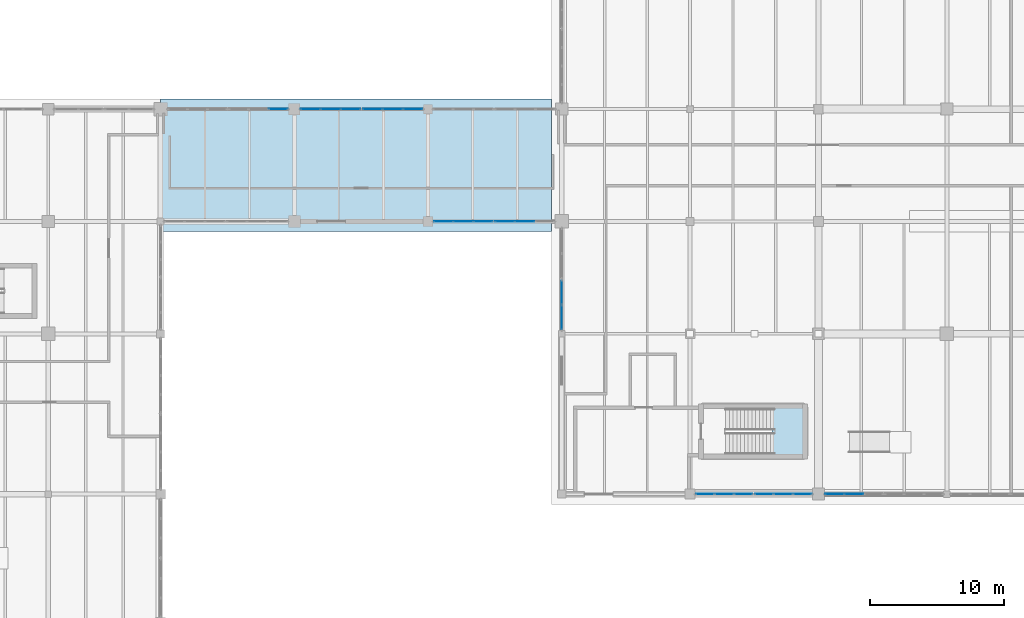
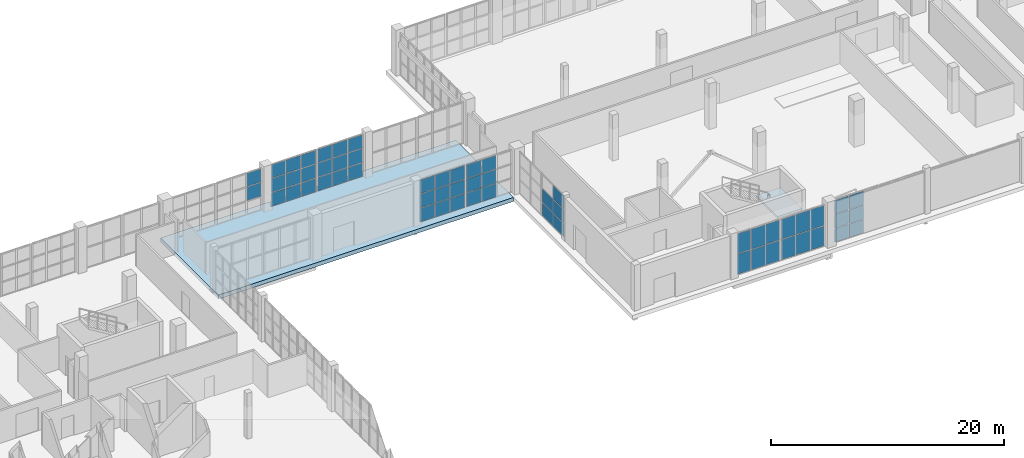
# One storey, part 76 of 121: 58 plates, 2 slabs, 10 elements without a shape of their own.
"""IFC4 building model written with IfcOpenShell, lengths in metres."""

import ifcopenshell
import ifcopenshell.guid

model = None  # the IFC model being written
_history = None  # IfcOwnerHistory: only IFC2X3 demands one
_inside = {}  # id of a spatial element -> (the spatial element, [elements in it])
_under = {}  # id of a project, library or spatial element -> (it, [spatial elements below it])
_declared = {}  # id of a project -> (the project, [libraries it declares])
_typed = {}  # id of a type object -> (the type object, [elements of that type])
_made_of = {}  # id of a material, layer set ... -> (it, [elements and type objects made of it])


def new_model(schema):
    """Start an empty IFC model of exactly this schema.

    Asked for "IFC4X3", IfcOpenShell would pick the latest addendum, in which some entities
    have other attributes; the version numbers below select the first issue.
    IFC2X3 requires an IfcOwnerHistory on every rooted entity: one is made here for all.
    """
    global model, _history
    if schema == "IFC4X3":
        model = ifcopenshell.file(schema_version=(4, 3, 0, 0))
    else:
        model = ifcopenshell.file(schema=schema)
    _inside.clear()
    _under.clear()
    _declared.clear()
    _typed.clear()
    _made_of.clear()
    _history = None
    if model.schema == "IFC2X3":
        org = make("IfcOrganization", Name="unknown")
        user = make(
            "IfcPersonAndOrganization",
            ThePerson=make("IfcPerson", FamilyName="unknown"),
            TheOrganization=org,
        )
        app = make(
            "IfcApplication",
            ApplicationDeveloper=org,
            Version="unknown",
            ApplicationFullName="unknown",
            ApplicationIdentifier="unknown",
        )
        _history = make(
            "IfcOwnerHistory",
            OwningUser=user,
            OwningApplication=app,
            ChangeAction="ADDED",
            CreationDate=0,
        )
    return model


def make(cls, **values):
    """One entity of the class cls with the attributes given. An attribute that is None is left unset."""
    return model.create_entity(
        cls, **{name: value for name, value in values.items() if value is not None}
    )


def rooted(cls, **values):
    """An entity with a GlobalId (a new one), such as an element, a storey or a relation."""
    return make(cls, GlobalId=ifcopenshell.guid.new(), OwnerHistory=_history, **values)


def si_unit(unit_type, name, prefix=None):
    """IfcSIUnit, for example si_unit("LENGTHUNIT", "METRE", prefix="MILLI")."""
    return make("IfcSIUnit", UnitType=unit_type, Prefix=prefix, Name=name)


def assignment(units):
    """IfcUnitAssignment: the units of a project."""
    return None if units is None else make("IfcUnitAssignment", Units=units)


def point(xyz):
    """IfcCartesianPoint."""
    return None if xyz is None else make("IfcCartesianPoint", Coordinates=xyz)


def direction(xyz):
    """IfcDirection."""
    return None if xyz is None else make("IfcDirection", DirectionRatios=xyz)


def frame(location, z_axis=None, x_axis=None):
    """IfcAxis2Placement3D, a coordinate frame: its origin and axes. An axis left out is left unset."""
    return make(
        "IfcAxis2Placement3D",
        Location=point(location),
        Axis=direction(z_axis),
        RefDirection=direction(x_axis),
    )


def frame_2d(location, x_axis=None):
    """IfcAxis2Placement2D, a coordinate frame in the plane: its origin and x axis."""
    return make(
        "IfcAxis2Placement2D", Location=point(location), RefDirection=direction(x_axis)
    )


def origin():
    """The frame at (0, 0, 0) with its axes left unset."""
    return frame((0.0, 0.0, 0.0))


def origin_2d():
    """The frame at (0, 0) in the plane with its x axis left unset."""
    return frame_2d((0.0, 0.0))


def place(relative_to, where):
    """IfcLocalPlacement: puts the frame where relative to a parent placement (None: the world)."""
    return make(
        "IfcLocalPlacement", PlacementRelTo=relative_to, RelativePlacement=where
    )


def context(
    kind, dimensions, precision=None, world=None, true_north=None, identifier=None
):
    """IfcGeometricRepresentationContext, for example the 3D "Model" context."""
    return make(
        "IfcGeometricRepresentationContext",
        ContextIdentifier=identifier,
        ContextType=kind,
        CoordinateSpaceDimension=dimensions,
        Precision=precision,
        WorldCoordinateSystem=world,
        TrueNorth=true_north,
    )


def subcontext(parent, identifier, kind, view, scale=None):
    """IfcGeometricRepresentationSubContext, for example "Body" below "Model"."""
    return make(
        "IfcGeometricRepresentationSubContext",
        ContextIdentifier=identifier,
        ContextType=kind,
        ParentContext=parent,
        TargetScale=scale,
        TargetView=view,
    )


def project(units=None, contexts=None):
    """IfcProject with its units and contexts."""
    return rooted(
        "IfcProject",
        Name="project",
        RepresentationContexts=contexts,
        UnitsInContext=assignment(units),
    )


def spatial(cls, under=None, at=None, **own):
    """A site, building, storey or space (cls), placed at a placement, below another one or the project."""
    s = rooted(cls, ObjectPlacement=at, **own)
    if under is not None:
        _under.setdefault(under.id(), (under, []))[1].append(s)
    return s


def polyline(points):
    """IfcPolyline through the points."""
    return make("IfcPolyline", Points=[point(p) for p in points])


def profile(cls, at=None, kind="AREA", **sizes):
    """A parametric profile (cls). Its sizes go by their IFC names, for example OverallWidth=200.0."""
    return make(cls, ProfileType=kind, Position=at, **sizes)


def rectangle(**sizes):
    """IfcRectangleProfileDef."""
    return profile("IfcRectangleProfileDef", **sizes)


def outline(outer, holes=None, kind="AREA"):
    """IfcArbitraryClosedProfileDef: a profile drawn as a closed curve; with holes, ...WithVoids."""
    if holes is None:
        return make("IfcArbitraryClosedProfileDef", ProfileType=kind, OuterCurve=outer)
    return make(
        "IfcArbitraryProfileDefWithVoids",
        ProfileType=kind,
        OuterCurve=outer,
        InnerCurves=holes,
    )


def extrude(swept, where, along, depth):
    """IfcExtrudedAreaSolid: the profile swept, set in the frame where, extruded along a direction by depth."""
    return make(
        "IfcExtrudedAreaSolid",
        SweptArea=swept,
        Position=where,
        ExtrudedDirection=direction(along),
        Depth=depth,
    )


def shape(context_of_items, identifier, shape_type, items):
    """IfcShapeRepresentation: the items that make up one representation, for example the "Body"."""
    return make(
        "IfcShapeRepresentation",
        ContextOfItems=context_of_items,
        RepresentationIdentifier=identifier,
        RepresentationType=shape_type,
        Items=items,
    )


def material(Name=None, Category=None):
    """IfcMaterial."""
    return make("IfcMaterial", Name=Name, Category=Category)


def layer(
    of_material, thickness, ventilated=None, Name=None, Category=None, Priority=None
):
    """IfcMaterialLayer: one layer of a wall or slab, of a material (None: an air gap)."""
    return make(
        "IfcMaterialLayer",
        Material=of_material,
        LayerThickness=thickness,
        IsVentilated=ventilated,
        Name=Name,
        Category=Category,
        Priority=Priority,
    )


def layer_set(layers, Name=None):
    """IfcMaterialLayerSet."""
    return make("IfcMaterialLayerSet", MaterialLayers=layers, LayerSetName=Name)


def made_of(thing, what):
    """Note that an element or type object is made of a material, layer set ...; save() writes the relation."""
    if what is not None:
        _made_of.setdefault(what.id(), (what, []))[1].append(thing)
    return thing


def type_object(cls, material=None, **own):
    """A type object (cls), such as IfcWallType, which elements share."""
    return made_of(rooted(cls, **own), material)


def element(
    cls,
    number,
    at=None,
    inside=None,
    cuts=None,
    type_object=None,
    material=None,
    context=None,
    identifier="Body",
    shape_type=None,
    held_by="IfcProductDefinitionShape",
    body=None,
    shapes=None,
    **own,
):
    """One element of the class cls, such as IfcWall. Its Tag is "e" and its number.

    at: its placement. inside: the storey or other place that contains it. cuts: it is an
    opening in that element (IfcRelVoidsElement). A single representation is given by context,
    identifier, shape_type and body (its items); several are given by shapes. held_by: the class
    of the entity that holds the representations. save() writes the other relations.
    """
    e = rooted(cls, Tag="e%d" % number, ObjectPlacement=at, **own)
    if body is not None:
        shapes = [shape(context, identifier, shape_type, body)]
    if shapes is not None:
        e.Representation = make(held_by, Representations=shapes)
    if inside is not None:
        _inside.setdefault(inside.id(), (inside, []))[1].append(e)
    if cuts is not None:
        rooted(
            "IfcRelVoidsElement", RelatingBuildingElement=cuts, RelatedOpeningElement=e
        )
    if type_object is not None:
        _typed.setdefault(type_object.id(), (type_object, []))[1].append(e)
    return made_of(e, material)


def aggregate(whole, parts):
    """IfcRelAggregates: a whole, such as a stair, and the parts it consists of."""
    return rooted("IfcRelAggregates", RelatingObject=whole, RelatedObjects=parts)


def save(model, path):
    """Write the relations noted so far, then the file.

    IfcRelAggregates (storeys below a building ...), IfcRelContainedInSpatialStructure (elements
    in a storey), IfcRelDefinesByType, IfcRelAssociatesMaterial and IfcRelDeclares: one each for
    every whole, place, type object, material and project.
    """
    for whole, parts in _under.values():
        aggregate(whole, parts)
    for where, things in _inside.values():
        rooted(
            "IfcRelContainedInSpatialStructure",
            RelatedElements=things,
            RelatingStructure=where,
        )
    for kind, things in _typed.values():
        rooted("IfcRelDefinesByType", RelatedObjects=things, RelatingType=kind)
    for what, things in _made_of.values():
        rooted("IfcRelAssociatesMaterial", RelatedObjects=things, RelatingMaterial=what)
    for by, libraries in _declared.values():
        rooted("IfcRelDeclares", RelatingContext=by, RelatedDefinitions=libraries)
    model.write(path)


model = new_model("IFC4")

# Units and contexts
model_context = context("Model", 3, precision=1e-05, world=origin(), true_north=direction((0.0, 1.0)))
body_context = subcontext(model_context, "Body", "Model", "MODEL_VIEW")
ifc_project = project(units=[si_unit("LENGTHUNIT", "METRE"), si_unit("AREAUNIT", "SQUARE_METRE"), si_unit("VOLUMEUNIT", "CUBIC_METRE"), si_unit("PLANEANGLEUNIT", "RADIAN"), si_unit("MASSUNIT", "GRAM", prefix="KILO")], contexts=[model_context])

# Site, building, storey
site_placement = place(None, origin())
site = spatial("IfcSite", under=ifc_project, at=site_placement, CompositionType="ELEMENT")
building_placement = place(site_placement, origin())
building = spatial("IfcBuilding", under=site, at=building_placement, Name="Zereglee Splitstone Museum", CompositionType="ELEMENT")
storey_placement = place(building_placement, origin())
storey = spatial("IfcBuildingStorey", under=building, at=storey_placement, Name="L00", CompositionType="ELEMENT", Elevation=0.0)

# Curtain wall, plates
ifc_material_1 = material(Name="Triple-glazed low-E argon glass and bronze-anodised aluminium", Category="aluminium")
ifc_layer_1 = layer(ifc_material_1, 0.179931640625)
ifc_layer_set_1 = layer_set([ifc_layer_1], Name="Triple-glazed low-E argon glass and bronze-anodised aluminium")
curtain_wall_type_1 = type_object("IfcCurtainWallType", Name="CW-0456-450", PredefinedType="USERDEFINED", material=ifc_layer_set_1)
curtain_wall_1_placement = place(storey_placement, origin())
curtain_wall_1 = element("IfcCurtainWall", 1, at=curtain_wall_1_placement, inside=storey, type_object=curtain_wall_type_1, Name="Glazed Curtain Wall CW-0456-450 (L00)", ObjectType="GLAZED CURTAIN WALL", PredefinedType="USERDEFINED")
ifc_material_2 = material(Name="Triple low-e argon insulated safety glass", Category="glass")
ifc_layer_2 = layer(ifc_material_2, 0.035888671875)
ifc_layer_set_2 = layer_set([ifc_layer_2], Name="Triple low-e argon insulated safety glass")
plate_type = type_object("IfcPlateType", Name="CWP-01", PredefinedType="CURTAIN_PANEL", material=ifc_layer_set_2)
plate_1_placement = place(storey_placement, frame((66.864990234375, 38.39990234375, 0.06494140625), z_axis=(0.0, 0.0, 1.0), x_axis=(-1.0, 0.0, 0.0)))
plate_1 = element("IfcPlate", 2, at=plate_1_placement, type_object=plate_type, Name="CW-0456-450 panel 1.1", PredefinedType="CURTAIN_PANEL", context=body_context, shape_type="SweptSolid", body=[
    extrude(rectangle(XDim=1.424072265625, YDim=0.035888671875, at=origin_2d()), origin(), (0.0, 0.0, 1.0), 1.402587890625),
])
plate_2_placement = place(storey_placement, frame((66.864990234375, 38.39990234375, 1.532470703125), z_axis=(0.0, 0.0, 1.0), x_axis=(-1.0, 0.0, 0.0)))
plate_2 = element("IfcPlate", 3, at=plate_2_placement, type_object=plate_type, Name="CW-0456-450 panel 1.2", PredefinedType="CURTAIN_PANEL", context=body_context, shape_type="SweptSolid", body=[
    extrude(rectangle(XDim=1.424072265625, YDim=0.035888671875, at=origin_2d()), origin(), (0.0, 0.0, 1.0), 1.43505859375),
])
plate_3_placement = place(storey_placement, frame((66.864990234375, 38.39990234375, 3.0322265625), z_axis=(0.0, 0.0, 1.0), x_axis=(-1.0, 0.0, 0.0)))
plate_3 = element("IfcPlate", 4, at=plate_3_placement, type_object=plate_type, Name="CW-0456-450 panel 1.3", PredefinedType="CURTAIN_PANEL", context=body_context, shape_type="SweptSolid", body=[
    extrude(rectangle(XDim=1.424072265625, YDim=0.035888671875, at=origin_2d()), origin(), (0.0, 0.0, 1.0), 1.402587890625),
])
plate_4_placement = place(storey_placement, frame((65.35986328125, 38.39990234375, 0.06494140625), z_axis=(0.0, 0.0, 1.0), x_axis=(-1.0, 0.0, 0.0)))
plate_4 = element("IfcPlate", 5, at=plate_4_placement, type_object=plate_type, Name="CW-0456-450 panel 2.1", PredefinedType="CURTAIN_PANEL", context=body_context, shape_type="SweptSolid", body=[
    extrude(rectangle(XDim=1.45654296875, YDim=0.035888671875, at=origin_2d()), origin(), (0.0, 0.0, 1.0), 1.402587890625),
])
plate_5_placement = place(storey_placement, frame((65.35986328125, 38.39990234375, 1.532470703125), z_axis=(0.0, 0.0, 1.0), x_axis=(-1.0, 0.0, 0.0)))
plate_5 = element("IfcPlate", 6, at=plate_5_placement, type_object=plate_type, Name="CW-0456-450 panel 2.2", PredefinedType="CURTAIN_PANEL", context=body_context, shape_type="SweptSolid", body=[
    extrude(rectangle(XDim=1.45654296875, YDim=0.035888671875, at=origin_2d()), origin(), (0.0, 0.0, 1.0), 1.43505859375),
])
plate_6_placement = place(storey_placement, frame((65.35986328125, 38.39990234375, 3.0322265625), z_axis=(0.0, 0.0, 1.0), x_axis=(-1.0, 0.0, 0.0)))
plate_6 = element("IfcPlate", 7, at=plate_6_placement, type_object=plate_type, Name="CW-0456-450 panel 2.3", PredefinedType="CURTAIN_PANEL", context=body_context, shape_type="SweptSolid", body=[
    extrude(rectangle(XDim=1.45654296875, YDim=0.035888671875, at=origin_2d()), origin(), (0.0, 0.0, 1.0), 1.402587890625),
])
plate_7_placement = place(storey_placement, frame((63.8544921875, 38.39990234375, 0.06494140625), z_axis=(0.0, 0.0, 1.0), x_axis=(-1.0, 0.0, 0.0)))
plate_7 = element("IfcPlate", 8, at=plate_7_placement, type_object=plate_type, Name="CW-0456-450 panel 3.1", PredefinedType="CURTAIN_PANEL", context=body_context, shape_type="SweptSolid", body=[
    extrude(rectangle(XDim=1.424072265625, YDim=0.035888671875, at=origin_2d()), origin(), (0.0, 0.0, 1.0), 1.402587890625),
])
plate_8_placement = place(storey_placement, frame((63.8544921875, 38.39990234375, 1.532470703125), z_axis=(0.0, 0.0, 1.0), x_axis=(-1.0, 0.0, 0.0)))
plate_8 = element("IfcPlate", 9, at=plate_8_placement, type_object=plate_type, Name="CW-0456-450 panel 3.2", PredefinedType="CURTAIN_PANEL", context=body_context, shape_type="SweptSolid", body=[
    extrude(rectangle(XDim=1.424072265625, YDim=0.035888671875, at=origin_2d()), origin(), (0.0, 0.0, 1.0), 1.43505859375),
])
plate_9_placement = place(storey_placement, frame((63.8544921875, 38.39990234375, 3.0322265625), z_axis=(0.0, 0.0, 1.0), x_axis=(-1.0, 0.0, 0.0)))
plate_9 = element("IfcPlate", 10, at=plate_9_placement, type_object=plate_type, Name="CW-0456-450 panel 3.3", PredefinedType="CURTAIN_PANEL", context=body_context, shape_type="SweptSolid", body=[
    extrude(rectangle(XDim=1.424072265625, YDim=0.035888671875, at=origin_2d()), origin(), (0.0, 0.0, 1.0), 1.402587890625),
])
aggregate(curtain_wall_1, [plate_1, plate_2, plate_3, plate_4, plate_5, plate_6, plate_7, plate_8, plate_9])

ifc_layer_3 = layer(ifc_material_1, 0.179931640625)
ifc_layer_set_3 = layer_set([ifc_layer_3], Name="Triple-glazed low-E argon glass and bronze-anodised aluminium")
curtain_wall_type_2 = type_object("IfcCurtainWallType", Name="CW-0456-448", PredefinedType="USERDEFINED", material=ifc_layer_set_3)
curtain_wall_2_placement = place(storey_placement, origin())
curtain_wall_2 = element("IfcCurtainWall", 11, at=curtain_wall_2_placement, inside=storey, type_object=curtain_wall_type_2, Name="Glazed Curtain Wall CW-0456-448 (L00)", ObjectType="GLAZED CURTAIN WALL", PredefinedType="USERDEFINED")
plate_10_placement = place(storey_placement, frame((62.220458984375, 38.39990234375, 0.06494140625), z_axis=(0.0, 0.0, 1.0), x_axis=(-1.0, 0.0, 0.0)))
plate_10 = element("IfcPlate", 12, at=plate_10_placement, type_object=plate_type, Name="CW-0456-448 panel 1.1", PredefinedType="CURTAIN_PANEL", context=body_context, shape_type="SweptSolid", body=[
    extrude(rectangle(XDim=1.424072265625, YDim=0.035888671875, at=origin_2d()), origin(), (0.0, 0.0, 1.0), 1.395751953125),
])
plate_11_placement = place(storey_placement, frame((62.220458984375, 38.39990234375, 1.52587890625), z_axis=(0.0, 0.0, 1.0), x_axis=(-1.0, 0.0, 0.0)))
plate_11 = element("IfcPlate", 13, at=plate_11_placement, type_object=plate_type, Name="CW-0456-448 panel 1.2", PredefinedType="CURTAIN_PANEL", context=body_context, shape_type="SweptSolid", body=[
    extrude(rectangle(XDim=1.424072265625, YDim=0.035888671875, at=origin_2d()), origin(), (0.0, 0.0, 1.0), 1.428466796875),
])
plate_12_placement = place(storey_placement, frame((62.220458984375, 38.39990234375, 3.01904296875), z_axis=(0.0, 0.0, 1.0), x_axis=(-1.0, 0.0, 0.0)))
plate_12 = element("IfcPlate", 14, at=plate_12_placement, type_object=plate_type, Name="CW-0456-448 panel 1.3", PredefinedType="CURTAIN_PANEL", context=body_context, shape_type="SweptSolid", body=[
    extrude(rectangle(XDim=1.424072265625, YDim=0.035888671875, at=origin_2d()), origin(), (0.0, 0.0, 1.0), 1.395751953125),
])
plate_13_placement = place(storey_placement, frame((60.71533203125, 38.39990234375, 0.06494140625), z_axis=(0.0, 0.0, 1.0), x_axis=(-1.0, 0.0, 0.0)))
plate_13 = element("IfcPlate", 15, at=plate_13_placement, type_object=plate_type, Name="CW-0456-448 panel 2.1", PredefinedType="CURTAIN_PANEL", context=body_context, shape_type="SweptSolid", body=[
    extrude(rectangle(XDim=1.45654296875, YDim=0.035888671875, at=origin_2d()), origin(), (0.0, 0.0, 1.0), 1.395751953125),
])
plate_14_placement = place(storey_placement, frame((60.71533203125, 38.39990234375, 1.52587890625), z_axis=(0.0, 0.0, 1.0), x_axis=(-1.0, 0.0, 0.0)))
plate_14 = element("IfcPlate", 16, at=plate_14_placement, type_object=plate_type, Name="CW-0456-448 panel 2.2", PredefinedType="CURTAIN_PANEL", context=body_context, shape_type="SweptSolid", body=[
    extrude(rectangle(XDim=1.45654296875, YDim=0.035888671875, at=origin_2d()), origin(), (0.0, 0.0, 1.0), 1.428466796875),
])
plate_15_placement = place(storey_placement, frame((60.71533203125, 38.39990234375, 3.01904296875), z_axis=(0.0, 0.0, 1.0), x_axis=(-1.0, 0.0, 0.0)))
plate_15 = element("IfcPlate", 17, at=plate_15_placement, type_object=plate_type, Name="CW-0456-448 panel 2.3", PredefinedType="CURTAIN_PANEL", context=body_context, shape_type="SweptSolid", body=[
    extrude(rectangle(XDim=1.45654296875, YDim=0.035888671875, at=origin_2d()), origin(), (0.0, 0.0, 1.0), 1.395751953125),
])
plate_16_placement = place(storey_placement, frame((59.2099609375, 38.39990234375, 0.06494140625), z_axis=(0.0, 0.0, 1.0), x_axis=(-1.0, 0.0, 0.0)))
plate_16 = element("IfcPlate", 18, at=plate_16_placement, type_object=plate_type, Name="CW-0456-448 panel 3.1", PredefinedType="CURTAIN_PANEL", context=body_context, shape_type="SweptSolid", body=[
    extrude(rectangle(XDim=1.424072265625, YDim=0.035888671875, at=origin_2d()), origin(), (0.0, 0.0, 1.0), 1.395751953125),
])
plate_17_placement = place(storey_placement, frame((59.2099609375, 38.39990234375, 1.52587890625), z_axis=(0.0, 0.0, 1.0), x_axis=(-1.0, 0.0, 0.0)))
plate_17 = element("IfcPlate", 19, at=plate_17_placement, type_object=plate_type, Name="CW-0456-448 panel 3.2", PredefinedType="CURTAIN_PANEL", context=body_context, shape_type="SweptSolid", body=[
    extrude(rectangle(XDim=1.424072265625, YDim=0.035888671875, at=origin_2d()), origin(), (0.0, 0.0, 1.0), 1.428466796875),
])
plate_18_placement = place(storey_placement, frame((59.2099609375, 38.39990234375, 3.01904296875), z_axis=(0.0, 0.0, 1.0), x_axis=(-1.0, 0.0, 0.0)))
plate_18 = element("IfcPlate", 20, at=plate_18_placement, type_object=plate_type, Name="CW-0456-448 panel 3.3", PredefinedType="CURTAIN_PANEL", context=body_context, shape_type="SweptSolid", body=[
    extrude(rectangle(XDim=1.424072265625, YDim=0.035888671875, at=origin_2d()), origin(), (0.0, 0.0, 1.0), 1.395751953125),
])
aggregate(curtain_wall_2, [plate_10, plate_11, plate_12, plate_13, plate_14, plate_15, plate_16, plate_17, plate_18])

ifc_layer_4 = layer(ifc_material_1, 0.179931640625)
ifc_layer_set_4 = layer_set([ifc_layer_4], Name="Triple-glazed low-E argon glass and bronze-anodised aluminium")
curtain_wall_type_3 = type_object("IfcCurtainWallType", Name="CW-0449-444", PredefinedType="USERDEFINED", material=ifc_layer_set_4)
curtain_wall_3_placement = place(storey_placement, origin())
curtain_wall_3 = element("IfcCurtainWall", 21, at=curtain_wall_3_placement, inside=storey, type_object=curtain_wall_type_3, Name="Glazed Curtain Wall CW-0449-444 (L00)", ObjectType="GLAZED CURTAIN WALL", PredefinedType="USERDEFINED")
plate_19_placement = place(storey_placement, frame((56.802490234375, 38.39990234375, 1.512451171875), z_axis=(0.0, 0.0, 1.0), x_axis=(-1.0, 0.0, 0.0)))
plate_19 = element("IfcPlate", 22, at=plate_19_placement, type_object=plate_type, Name="CW-0449-444 panel 1.2", PredefinedType="CURTAIN_PANEL", context=body_context, shape_type="SweptSolid", body=[
    extrude(rectangle(XDim=1.39892578125, YDim=0.035888671875, at=origin_2d()), origin(), (0.0, 0.0, 1.0), 1.4150390625),
])
plate_20_placement = place(storey_placement, frame((56.802490234375, 38.39990234375, 2.99267578125), z_axis=(0.0, 0.0, 1.0), x_axis=(-1.0, 0.0, 0.0)))
plate_20 = element("IfcPlate", 23, at=plate_20_placement, type_object=plate_type, Name="CW-0449-444 panel 1.3", PredefinedType="CURTAIN_PANEL", context=body_context, shape_type="SweptSolid", body=[
    extrude(rectangle(XDim=1.39892578125, YDim=0.035888671875, at=origin_2d()), origin(), (0.0, 0.0, 1.0), 1.382568359375),
])
aggregate(curtain_wall_3, [plate_19, plate_20])

ifc_layer_5 = layer(ifc_material_1, 0.179931640625)
ifc_layer_set_5 = layer_set([ifc_layer_5], Name="Triple-glazed low-E argon glass and bronze-anodised aluminium")
curtain_wall_type_4 = type_object("IfcCurtainWallType", Name="CW-0451-450", PredefinedType="USERDEFINED", material=ifc_layer_set_5)
curtain_wall_4_placement = place(storey_placement, origin())
curtain_wall_4 = element("IfcCurtainWall", 24, at=curtain_wall_4_placement, inside=storey, type_object=curtain_wall_type_4, Name="Glazed Curtain Wall CW-0451-450 (L00)", ObjectType="GLAZED CURTAIN WALL", PredefinedType="USERDEFINED")
plate_21_placement = place(storey_placement, frame((69.151611328125, 30.0, 0.06494140625), z_axis=(0.0, 0.0, 1.0), x_axis=(1.0, 0.0, 0.0)))
plate_21 = element("IfcPlate", 25, at=plate_21_placement, type_object=plate_type, Name="CW-0451-450 panel 1.1", PredefinedType="CURTAIN_PANEL", context=body_context, shape_type="SweptSolid", body=[
    extrude(rectangle(XDim=1.4072265625, YDim=0.035888671875, at=origin_2d()), origin(), (0.0, 0.0, 1.0), 1.402587890625),
])
plate_22_placement = place(storey_placement, frame((69.151611328125, 30.0, 1.532470703125), z_axis=(0.0, 0.0, 1.0), x_axis=(1.0, 0.0, 0.0)))
plate_22 = element("IfcPlate", 26, at=plate_22_placement, type_object=plate_type, Name="CW-0451-450 panel 1.2", PredefinedType="CURTAIN_PANEL", context=body_context, shape_type="SweptSolid", body=[
    extrude(rectangle(XDim=1.4072265625, YDim=0.035888671875, at=origin_2d()), origin(), (0.0, 0.0, 1.0), 1.43505859375),
])
plate_23_placement = place(storey_placement, frame((69.151611328125, 30.0, 3.0322265625), z_axis=(0.0, 0.0, 1.0), x_axis=(1.0, 0.0, 0.0)))
plate_23 = element("IfcPlate", 27, at=plate_23_placement, type_object=plate_type, Name="CW-0451-450 panel 1.3", PredefinedType="CURTAIN_PANEL", context=body_context, shape_type="SweptSolid", body=[
    extrude(rectangle(XDim=1.4072265625, YDim=0.035888671875, at=origin_2d()), origin(), (0.0, 0.0, 1.0), 1.402587890625),
])
plate_24_placement = place(storey_placement, frame((70.64013671875, 30.0, 0.06494140625), z_axis=(0.0, 0.0, 1.0), x_axis=(1.0, 0.0, 0.0)))
plate_24 = element("IfcPlate", 28, at=plate_24_placement, type_object=plate_type, Name="CW-0451-450 panel 2.1", PredefinedType="CURTAIN_PANEL", context=body_context, shape_type="SweptSolid", body=[
    extrude(rectangle(XDim=1.43994140625, YDim=0.035888671875, at=origin_2d()), origin(), (0.0, 0.0, 1.0), 1.402587890625),
])
plate_25_placement = place(storey_placement, frame((70.64013671875, 30.0, 1.532470703125), z_axis=(0.0, 0.0, 1.0), x_axis=(1.0, 0.0, 0.0)))
plate_25 = element("IfcPlate", 29, at=plate_25_placement, type_object=plate_type, Name="CW-0451-450 panel 2.2", PredefinedType="CURTAIN_PANEL", context=body_context, shape_type="SweptSolid", body=[
    extrude(rectangle(XDim=1.43994140625, YDim=0.035888671875, at=origin_2d()), origin(), (0.0, 0.0, 1.0), 1.43505859375),
])
plate_26_placement = place(storey_placement, frame((70.64013671875, 30.0, 3.0322265625), z_axis=(0.0, 0.0, 1.0), x_axis=(1.0, 0.0, 0.0)))
plate_26 = element("IfcPlate", 30, at=plate_26_placement, type_object=plate_type, Name="CW-0451-450 panel 2.3", PredefinedType="CURTAIN_PANEL", context=body_context, shape_type="SweptSolid", body=[
    extrude(rectangle(XDim=1.43994140625, YDim=0.035888671875, at=origin_2d()), origin(), (0.0, 0.0, 1.0), 1.402587890625),
])
plate_27_placement = place(storey_placement, frame((72.12890625, 30.0, 0.06494140625), z_axis=(0.0, 0.0, 1.0), x_axis=(1.0, 0.0, 0.0)))
plate_27 = element("IfcPlate", 31, at=plate_27_placement, type_object=plate_type, Name="CW-0451-450 panel 3.1", PredefinedType="CURTAIN_PANEL", context=body_context, shape_type="SweptSolid", body=[
    extrude(rectangle(XDim=1.4072265625, YDim=0.035888671875, at=origin_2d()), origin(), (0.0, 0.0, 1.0), 1.402587890625),
])
plate_28_placement = place(storey_placement, frame((72.12890625, 30.0, 1.532470703125), z_axis=(0.0, 0.0, 1.0), x_axis=(1.0, 0.0, 0.0)))
plate_28 = element("IfcPlate", 32, at=plate_28_placement, type_object=plate_type, Name="CW-0451-450 panel 3.2", PredefinedType="CURTAIN_PANEL", context=body_context, shape_type="SweptSolid", body=[
    extrude(rectangle(XDim=1.4072265625, YDim=0.035888671875, at=origin_2d()), origin(), (0.0, 0.0, 1.0), 1.43505859375),
])
plate_29_placement = place(storey_placement, frame((72.12890625, 30.0, 3.0322265625), z_axis=(0.0, 0.0, 1.0), x_axis=(1.0, 0.0, 0.0)))
plate_29 = element("IfcPlate", 33, at=plate_29_placement, type_object=plate_type, Name="CW-0451-450 panel 3.3", PredefinedType="CURTAIN_PANEL", context=body_context, shape_type="SweptSolid", body=[
    extrude(rectangle(XDim=1.4072265625, YDim=0.035888671875, at=origin_2d()), origin(), (0.0, 0.0, 1.0), 1.402587890625),
])
aggregate(curtain_wall_4, [plate_21, plate_22, plate_23, plate_24, plate_25, plate_26, plate_27, plate_28, plate_29])

ifc_layer_6 = layer(ifc_material_1, 0.179931640625)
ifc_layer_set_6 = layer_set([ifc_layer_6], Name="Triple-glazed low-E argon glass and bronze-anodised aluminium")
curtain_wall_type_5 = type_object("IfcCurtainWallType", Name="CW-0451-448", PredefinedType="USERDEFINED", material=ifc_layer_set_6)
curtain_wall_5_placement = place(storey_placement, origin())
curtain_wall_5 = element("IfcCurtainWall", 34, at=curtain_wall_5_placement, inside=storey, type_object=curtain_wall_type_5, Name="Glazed Curtain Wall CW-0451-448 (L00)", ObjectType="GLAZED CURTAIN WALL", PredefinedType="USERDEFINED")
plate_30_placement = place(storey_placement, frame((73.74609375, 30.0, 0.06494140625), z_axis=(0.0, 0.0, 1.0), x_axis=(1.0, 0.0, 0.0)))
plate_30 = element("IfcPlate", 35, at=plate_30_placement, type_object=plate_type, Name="CW-0451-448 panel 1.1", PredefinedType="CURTAIN_PANEL", context=body_context, shape_type="SweptSolid", body=[
    extrude(rectangle(XDim=1.4072265625, YDim=0.035888671875, at=origin_2d()), origin(), (0.0, 0.0, 1.0), 1.395751953125),
])
plate_31_placement = place(storey_placement, frame((73.74609375, 30.0, 1.52587890625), z_axis=(0.0, 0.0, 1.0), x_axis=(1.0, 0.0, 0.0)))
plate_31 = element("IfcPlate", 36, at=plate_31_placement, type_object=plate_type, Name="CW-0451-448 panel 1.2", PredefinedType="CURTAIN_PANEL", context=body_context, shape_type="SweptSolid", body=[
    extrude(rectangle(XDim=1.4072265625, YDim=0.035888671875, at=origin_2d()), origin(), (0.0, 0.0, 1.0), 1.428466796875),
])
plate_32_placement = place(storey_placement, frame((73.74609375, 30.0, 3.01904296875), z_axis=(0.0, 0.0, 1.0), x_axis=(1.0, 0.0, 0.0)))
plate_32 = element("IfcPlate", 37, at=plate_32_placement, type_object=plate_type, Name="CW-0451-448 panel 1.3", PredefinedType="CURTAIN_PANEL", context=body_context, shape_type="SweptSolid", body=[
    extrude(rectangle(XDim=1.4072265625, YDim=0.035888671875, at=origin_2d()), origin(), (0.0, 0.0, 1.0), 1.395751953125),
])
plate_33_placement = place(storey_placement, frame((75.23486328125, 30.0, 0.06494140625), z_axis=(0.0, 0.0, 1.0), x_axis=(1.0, 0.0, 0.0)))
plate_33 = element("IfcPlate", 38, at=plate_33_placement, type_object=plate_type, Name="CW-0451-448 panel 2.1", PredefinedType="CURTAIN_PANEL", context=body_context, shape_type="SweptSolid", body=[
    extrude(rectangle(XDim=1.43994140625, YDim=0.035888671875, at=origin_2d()), origin(), (0.0, 0.0, 1.0), 1.395751953125),
])
plate_34_placement = place(storey_placement, frame((75.23486328125, 30.0, 1.52587890625), z_axis=(0.0, 0.0, 1.0), x_axis=(1.0, 0.0, 0.0)))
plate_34 = element("IfcPlate", 39, at=plate_34_placement, type_object=plate_type, Name="CW-0451-448 panel 2.2", PredefinedType="CURTAIN_PANEL", context=body_context, shape_type="SweptSolid", body=[
    extrude(rectangle(XDim=1.43994140625, YDim=0.035888671875, at=origin_2d()), origin(), (0.0, 0.0, 1.0), 1.428466796875),
])
plate_35_placement = place(storey_placement, frame((75.23486328125, 30.0, 3.01904296875), z_axis=(0.0, 0.0, 1.0), x_axis=(1.0, 0.0, 0.0)))
plate_35 = element("IfcPlate", 40, at=plate_35_placement, type_object=plate_type, Name="CW-0451-448 panel 2.3", PredefinedType="CURTAIN_PANEL", context=body_context, shape_type="SweptSolid", body=[
    extrude(rectangle(XDim=1.43994140625, YDim=0.035888671875, at=origin_2d()), origin(), (0.0, 0.0, 1.0), 1.395751953125),
])
aggregate(curtain_wall_5, [plate_30, plate_31, plate_32, plate_33, plate_34, plate_35])

ifc_layer_7 = layer(ifc_material_1, 0.179931640625)
ifc_layer_set_7 = layer_set([ifc_layer_7], Name="Triple-glazed low-E argon glass and bronze-anodised aluminium")
curtain_wall_type_6 = type_object("IfcCurtainWallType", Name="CW-0378-442", PredefinedType="USERDEFINED", material=ifc_layer_set_7)
curtain_wall_6_placement = place(storey_placement, origin())
curtain_wall_6 = element("IfcCurtainWall", 41, at=curtain_wall_6_placement, inside=storey, type_object=curtain_wall_type_6, Name="Glazed Curtain Wall CW-0378-442 (L00)", ObjectType="GLAZED CURTAIN WALL", PredefinedType="USERDEFINED")
plate_36_placement = place(storey_placement, frame((78.0, 24.674560546875, 0.06494140625), z_axis=(0.0, 0.0, 1.0), x_axis=(0.0, -1.0, 0.0)))
plate_36 = element("IfcPlate", 42, at=plate_36_placement, type_object=plate_type, Name="CW-0378-442 panel 1.1", PredefinedType="CURTAIN_PANEL", context=body_context, shape_type="SweptSolid", body=[
    extrude(rectangle(XDim=1.791015625, YDim=0.035888671875, at=origin_2d()), origin(), (0.0, 0.0, 1.0), 1.375732421875),
])
plate_37_placement = place(storey_placement, frame((78.0, 24.674560546875, 1.505859375), z_axis=(0.0, 0.0, 1.0), x_axis=(0.0, -1.0, 0.0)))
plate_37 = element("IfcPlate", 43, at=plate_37_placement, type_object=plate_type, Name="CW-0378-442 panel 1.2", PredefinedType="CURTAIN_PANEL", context=body_context, shape_type="SweptSolid", body=[
    extrude(rectangle(XDim=1.791015625, YDim=0.035888671875, at=origin_2d()), origin(), (0.0, 0.0, 1.0), 1.408447265625),
])
plate_38_placement = place(storey_placement, frame((78.0, 22.818603515625, 0.06494140625), z_axis=(0.0, 0.0, 1.0), x_axis=(0.0, -1.0, 0.0)))
plate_38 = element("IfcPlate", 44, at=plate_38_placement, type_object=plate_type, Name="CW-0378-442 panel 2.1", PredefinedType="CURTAIN_PANEL", context=body_context, shape_type="SweptSolid", body=[
    extrude(rectangle(XDim=1.791015625, YDim=0.035888671875, at=origin_2d()), origin(), (0.0, 0.0, 1.0), 1.375732421875),
])
plate_39_placement = place(storey_placement, frame((78.0, 22.818603515625, 1.505859375), z_axis=(0.0, 0.0, 1.0), x_axis=(0.0, -1.0, 0.0)))
plate_39 = element("IfcPlate", 45, at=plate_39_placement, type_object=plate_type, Name="CW-0378-442 panel 2.2", PredefinedType="CURTAIN_PANEL", context=body_context, shape_type="SweptSolid", body=[
    extrude(rectangle(XDim=1.791015625, YDim=0.035888671875, at=origin_2d()), origin(), (0.0, 0.0, 1.0), 1.408447265625),
])
plate_40_placement = place(storey_placement, frame((78.0, 22.818603515625, 2.97900390625), z_axis=(0.0, 0.0, 1.0), x_axis=(0.0, -1.0, 0.0)))
plate_40 = element("IfcPlate", 46, at=plate_40_placement, type_object=plate_type, Name="CW-0378-442 panel 2.3", PredefinedType="CURTAIN_PANEL", context=body_context, shape_type="SweptSolid", body=[
    extrude(rectangle(XDim=1.791015625, YDim=0.035888671875, at=origin_2d()), origin(), (0.0, 0.0, 1.0), 1.375732421875),
])
aggregate(curtain_wall_6, [plate_36, plate_37, plate_38, plate_39, plate_40])

ifc_layer_8 = layer(ifc_material_1, 0.179931640625)
ifc_layer_set_8 = layer_set([ifc_layer_8], Name="Triple-glazed low-E argon glass and bronze-anodised aluminium")
curtain_wall_type_7 = type_object("IfcCurtainWallType", Name="CW-0434-438", PredefinedType="USERDEFINED", material=ifc_layer_set_8)
curtain_wall_7_placement = place(storey_placement, origin())
curtain_wall_7 = element("IfcCurtainWall", 47, at=curtain_wall_7_placement, inside=storey, type_object=curtain_wall_type_7, Name="Glazed Curtain Wall CW-0434-438 (L00)", ObjectType="GLAZED CURTAIN WALL", PredefinedType="USERDEFINED")
plate_41_placement = place(storey_placement, frame((88.722412109375, 9.60009765625, 0.06494140625), z_axis=(0.0, 0.0, 1.0), x_axis=(1.0, 0.0, 0.0)))
plate_41 = element("IfcPlate", 48, at=plate_41_placement, type_object=plate_type, Name="CW-0434-438 panel 1.1", PredefinedType="CURTAIN_PANEL", context=body_context, shape_type="SweptSolid", body=[
    extrude(rectangle(XDim=1.34912109375, YDim=0.035888671875, at=origin_2d()), origin(), (0.0, 0.0, 1.0), 2.092529296875),
])
plate_42_placement = place(storey_placement, frame((88.722412109375, 9.60009765625, 2.22265625), z_axis=(0.0, 0.0, 1.0), x_axis=(1.0, 0.0, 0.0)))
plate_42 = element("IfcPlate", 49, at=plate_42_placement, type_object=plate_type, Name="CW-0434-438 panel 1.2", PredefinedType="CURTAIN_PANEL", context=body_context, shape_type="SweptSolid", body=[
    extrude(rectangle(XDim=1.34912109375, YDim=0.035888671875, at=origin_2d()), origin(), (0.0, 0.0, 1.0), 2.092529296875),
])
plate_43_placement = place(storey_placement, frame((90.15283203125, 9.60009765625, 0.06494140625), z_axis=(0.0, 0.0, 1.0), x_axis=(1.0, 0.0, 0.0)))
plate_43 = element("IfcPlate", 50, at=plate_43_placement, type_object=plate_type, Name="CW-0434-438 panel 2.1", PredefinedType="CURTAIN_PANEL", context=body_context, shape_type="SweptSolid", body=[
    extrude(rectangle(XDim=1.381591796875, YDim=0.035888671875, at=origin_2d()), origin(), (0.0, 0.0, 1.0), 2.092529296875),
])
plate_44_placement = place(storey_placement, frame((90.15283203125, 9.60009765625, 2.22265625), z_axis=(0.0, 0.0, 1.0), x_axis=(1.0, 0.0, 0.0)))
plate_44 = element("IfcPlate", 51, at=plate_44_placement, type_object=plate_type, Name="CW-0434-438 panel 2.2", PredefinedType="CURTAIN_PANEL", context=body_context, shape_type="SweptSolid", body=[
    extrude(rectangle(XDim=1.381591796875, YDim=0.035888671875, at=origin_2d()), origin(), (0.0, 0.0, 1.0), 2.092529296875),
])
plate_45_placement = place(storey_placement, frame((91.5830078125, 9.60009765625, 0.06494140625), z_axis=(0.0, 0.0, 1.0), x_axis=(1.0, 0.0, 0.0)))
plate_45 = element("IfcPlate", 52, at=plate_45_placement, type_object=plate_type, Name="CW-0434-438 panel 3.1", PredefinedType="CURTAIN_PANEL", context=body_context, shape_type="SweptSolid", body=[
    extrude(rectangle(XDim=1.34912109375, YDim=0.035888671875, at=origin_2d()), origin(), (0.0, 0.0, 1.0), 2.092529296875),
])
plate_46_placement = place(storey_placement, frame((91.5830078125, 9.60009765625, 2.22265625), z_axis=(0.0, 0.0, 1.0), x_axis=(1.0, 0.0, 0.0)))
plate_46 = element("IfcPlate", 53, at=plate_46_placement, type_object=plate_type, Name="CW-0434-438 panel 3.2", PredefinedType="CURTAIN_PANEL", context=body_context, shape_type="SweptSolid", body=[
    extrude(rectangle(XDim=1.34912109375, YDim=0.035888671875, at=origin_2d()), origin(), (0.0, 0.0, 1.0), 2.092529296875),
])
aggregate(curtain_wall_7, [plate_41, plate_42, plate_43, plate_44, plate_45, plate_46])

ifc_layer_9 = layer(ifc_material_1, 0.179931640625)
ifc_layer_set_9 = layer_set([ifc_layer_9], Name="Triple-glazed low-E argon glass and bronze-anodised aluminium")
curtain_wall_type_8 = type_object("IfcCurtainWallType", Name="CW-0434-436", PredefinedType="USERDEFINED", material=ifc_layer_set_9)
curtain_wall_8_placement = place(storey_placement, origin())
curtain_wall_8 = element("IfcCurtainWall", 54, at=curtain_wall_8_placement, inside=storey, type_object=curtain_wall_type_8, Name="Glazed Curtain Wall CW-0434-436 (L00)", ObjectType="GLAZED CURTAIN WALL", PredefinedType="USERDEFINED")
plate_47_placement = place(storey_placement, frame((93.14208984375, 9.60009765625, 0.06494140625), z_axis=(0.0, 0.0, 1.0), x_axis=(1.0, 0.0, 0.0)))
plate_47 = element("IfcPlate", 55, at=plate_47_placement, type_object=plate_type, Name="CW-0434-436 panel 1.1", PredefinedType="CURTAIN_PANEL", context=body_context, shape_type="SweptSolid", body=[
    extrude(rectangle(XDim=1.34912109375, YDim=0.035888671875, at=origin_2d()), origin(), (0.0, 0.0, 1.0), 2.08251953125),
])
plate_48_placement = place(storey_placement, frame((93.14208984375, 9.60009765625, 2.21240234375), z_axis=(0.0, 0.0, 1.0), x_axis=(1.0, 0.0, 0.0)))
plate_48 = element("IfcPlate", 56, at=plate_48_placement, type_object=plate_type, Name="CW-0434-436 panel 1.2", PredefinedType="CURTAIN_PANEL", context=body_context, shape_type="SweptSolid", body=[
    extrude(rectangle(XDim=1.34912109375, YDim=0.035888671875, at=origin_2d()), origin(), (0.0, 0.0, 1.0), 2.08251953125),
])
plate_49_placement = place(storey_placement, frame((94.572265625, 9.60009765625, 0.06494140625), z_axis=(0.0, 0.0, 1.0), x_axis=(1.0, 0.0, 0.0)))
plate_49 = element("IfcPlate", 57, at=plate_49_placement, type_object=plate_type, Name="CW-0434-436 panel 2.1", PredefinedType="CURTAIN_PANEL", context=body_context, shape_type="SweptSolid", body=[
    extrude(rectangle(XDim=1.381591796875, YDim=0.035888671875, at=origin_2d()), origin(), (0.0, 0.0, 1.0), 2.08251953125),
])
plate_50_placement = place(storey_placement, frame((94.572265625, 9.60009765625, 2.21240234375), z_axis=(0.0, 0.0, 1.0), x_axis=(1.0, 0.0, 0.0)))
plate_50 = element("IfcPlate", 58, at=plate_50_placement, type_object=plate_type, Name="CW-0434-436 panel 2.2", PredefinedType="CURTAIN_PANEL", context=body_context, shape_type="SweptSolid", body=[
    extrude(rectangle(XDim=1.381591796875, YDim=0.035888671875, at=origin_2d()), origin(), (0.0, 0.0, 1.0), 2.08251953125),
])
plate_51_placement = place(storey_placement, frame((96.00244140625, 9.60009765625, 0.06494140625), z_axis=(0.0, 0.0, 1.0), x_axis=(1.0, 0.0, 0.0)))
plate_51 = element("IfcPlate", 59, at=plate_51_placement, type_object=plate_type, Name="CW-0434-436 panel 3.1", PredefinedType="CURTAIN_PANEL", context=body_context, shape_type="SweptSolid", body=[
    extrude(rectangle(XDim=1.34912109375, YDim=0.035888671875, at=origin_2d()), origin(), (0.0, 0.0, 1.0), 2.08251953125),
])
plate_52_placement = place(storey_placement, frame((96.00244140625, 9.60009765625, 2.21240234375), z_axis=(0.0, 0.0, 1.0), x_axis=(1.0, 0.0, 0.0)))
plate_52 = element("IfcPlate", 60, at=plate_52_placement, type_object=plate_type, Name="CW-0434-436 panel 3.2", PredefinedType="CURTAIN_PANEL", context=body_context, shape_type="SweptSolid", body=[
    extrude(rectangle(XDim=1.34912109375, YDim=0.035888671875, at=origin_2d()), origin(), (0.0, 0.0, 1.0), 2.08251953125),
])
aggregate(curtain_wall_8, [plate_47, plate_48, plate_49, plate_50, plate_51, plate_52])

ifc_layer_10 = layer(ifc_material_1, 0.179931640625)
ifc_layer_set_10 = layer_set([ifc_layer_10], Name="Triple-glazed low-E argon glass and bronze-anodised aluminium")
curtain_wall_type_9 = type_object("IfcCurtainWallType", Name="CW-0440-450", PredefinedType="USERDEFINED", material=ifc_layer_set_10)
curtain_wall_9_placement = place(storey_placement, origin())
curtain_wall_9 = element("IfcCurtainWall", 61, at=curtain_wall_9_placement, inside=storey, type_object=curtain_wall_type_9, Name="Glazed Curtain Wall CW-0440-450 (L00)", ObjectType="GLAZED CURTAIN WALL", PredefinedType="USERDEFINED")
plate_53_placement = place(storey_placement, frame((98.407958984375, 9.60009765625, 0.06494140625), z_axis=(0.0, 0.0, 1.0), x_axis=(1.0, 0.0, 0.0)))
plate_53 = element("IfcPlate", 62, at=plate_53_placement, type_object=plate_type, Name="CW-0440-450 panel 1.1", PredefinedType="CURTAIN_PANEL", context=body_context, shape_type="SweptSolid", body=[
    extrude(rectangle(XDim=1.369873046875, YDim=0.035888671875, at=origin_2d()), origin(), (0.0, 0.0, 1.0), 1.402587890625),
])
plate_54_placement = place(storey_placement, frame((98.407958984375, 9.60009765625, 1.532470703125), z_axis=(0.0, 0.0, 1.0), x_axis=(1.0, 0.0, 0.0)))
plate_54 = element("IfcPlate", 63, at=plate_54_placement, type_object=plate_type, Name="CW-0440-450 panel 1.2", PredefinedType="CURTAIN_PANEL", context=body_context, shape_type="SweptSolid", body=[
    extrude(rectangle(XDim=1.369873046875, YDim=0.035888671875, at=origin_2d()), origin(), (0.0, 0.0, 1.0), 1.43505859375),
])
plate_55_placement = place(storey_placement, frame((98.407958984375, 9.60009765625, 3.0322265625), z_axis=(0.0, 0.0, 1.0), x_axis=(1.0, 0.0, 0.0)))
plate_55 = element("IfcPlate", 64, at=plate_55_placement, type_object=plate_type, Name="CW-0440-450 panel 1.3", PredefinedType="CURTAIN_PANEL", context=body_context, shape_type="SweptSolid", body=[
    extrude(rectangle(XDim=1.369873046875, YDim=0.035888671875, at=origin_2d()), origin(), (0.0, 0.0, 1.0), 1.402587890625),
])
plate_56_placement = place(storey_placement, frame((99.85888671875, 9.60009765625, 0.06494140625), z_axis=(0.0, 0.0, 1.0), x_axis=(1.0, 0.0, 0.0)))
plate_56 = element("IfcPlate", 65, at=plate_56_placement, type_object=plate_type, Name="CW-0440-450 panel 2.1", PredefinedType="CURTAIN_PANEL", context=body_context, shape_type="SweptSolid", body=[
    extrude(rectangle(XDim=1.40234375, YDim=0.035888671875, at=origin_2d()), origin(), (0.0, 0.0, 1.0), 1.402587890625),
])
plate_57_placement = place(storey_placement, frame((99.85888671875, 9.60009765625, 1.532470703125), z_axis=(0.0, 0.0, 1.0), x_axis=(1.0, 0.0, 0.0)))
plate_57 = element("IfcPlate", 66, at=plate_57_placement, type_object=plate_type, Name="CW-0440-450 panel 2.2", PredefinedType="CURTAIN_PANEL", context=body_context, shape_type="SweptSolid", body=[
    extrude(rectangle(XDim=1.40234375, YDim=0.035888671875, at=origin_2d()), origin(), (0.0, 0.0, 1.0), 1.43505859375),
])
plate_58_placement = place(storey_placement, frame((99.85888671875, 9.60009765625, 3.0322265625), z_axis=(0.0, 0.0, 1.0), x_axis=(1.0, 0.0, 0.0)))
plate_58 = element("IfcPlate", 67, at=plate_58_placement, type_object=plate_type, Name="CW-0440-450 panel 2.3", PredefinedType="CURTAIN_PANEL", context=body_context, shape_type="SweptSolid", body=[
    extrude(rectangle(XDim=1.40234375, YDim=0.035888671875, at=origin_2d()), origin(), (0.0, 0.0, 1.0), 1.402587890625),
])
aggregate(curtain_wall_9, [plate_53, plate_54, plate_55, plate_56, plate_57, plate_58])

# Slab
ifc_material_3 = material(Name="Concrete C35/45", Category="concrete")
ifc_layer_11 = layer(ifc_material_3, 0.419921875)
ifc_layer_set_11 = layer_set([ifc_layer_11], Name="Concrete C35/45")
slab_type_1 = type_object("IfcSlabType", Name="FS-01", PredefinedType="FLOOR", material=ifc_layer_set_11)
slab_1_placement = place(storey_placement, frame((0.0, 0.0, -0.419921875)))
element("IfcSlab", 68, at=slab_1_placement, inside=storey, type_object=slab_type_1, Name="Gallery Floor Slab L00-L1", PredefinedType="FLOOR", context=body_context, shape_type="SweptSolid", body=[
    extrude(outline(polyline([(48.0, 29.25), (77.25, 29.25), (77.25, 39.14990234375), (48.0, 39.14990234375), (48.0, 29.25)])), origin(), (0.0, 0.0, 1.0), 0.419921875),
])

# Stair, slab
stair_type = type_object("IfcStairType", Name="ST-06A", PredefinedType="HALF_TURN_STAIR", material=ifc_material_3)
stair_placement = place(storey_placement, origin())
stair = element("IfcStair", 69, at=stair_placement, inside=storey, type_object=stair_type, Name="L00 Protected Exit Stair ST-06 A", PredefinedType="HALF_TURN_STAIR")
ifc_layer_12 = layer(ifc_material_3, 0.199951171875)
ifc_layer_set_12 = layer_set([ifc_layer_12], Name="Concrete C35/45")
slab_type_2 = type_object("IfcSlabType", Name="ST-06A", PredefinedType="LANDING", material=ifc_layer_set_12)
slab_2_placement = place(storey_placement, frame((0.0, 0.0, 2.199951171875)))
slab_2 = element("IfcSlab", 70, at=slab_2_placement, type_object=slab_type_2, Name="ST-06A landing 1", PredefinedType="LANDING", context=body_context, shape_type="SweptSolid", body=[
    extrude(outline(polyline([(93.7099609375, 12.4599609375), (96.139892578125, 12.4599609375), (96.139892578125, 16.139892578125), (93.7099609375, 16.139892578125), (93.7099609375, 12.4599609375)])), origin(), (0.0, 0.0, 1.0), 0.199951171875),
])
aggregate(stair, [slab_2])

save(model, "model.ifc")
